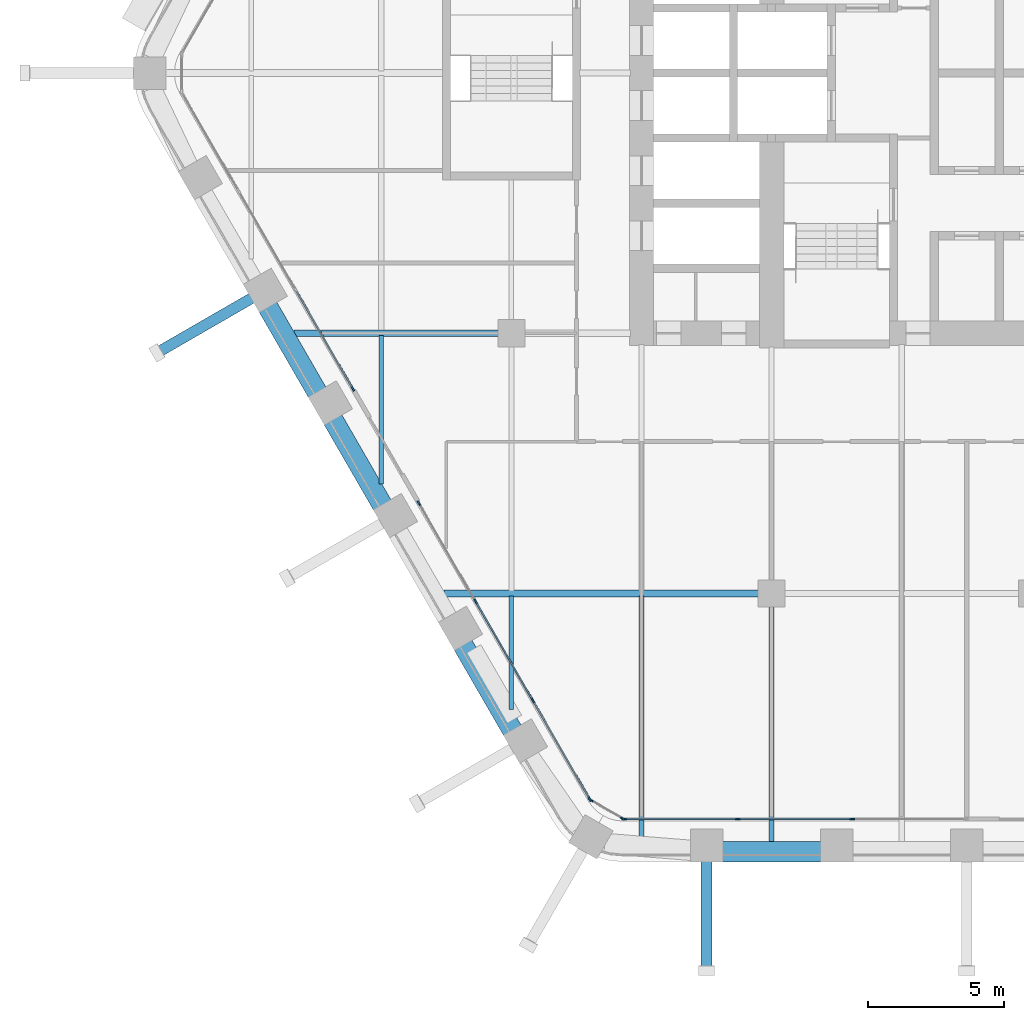
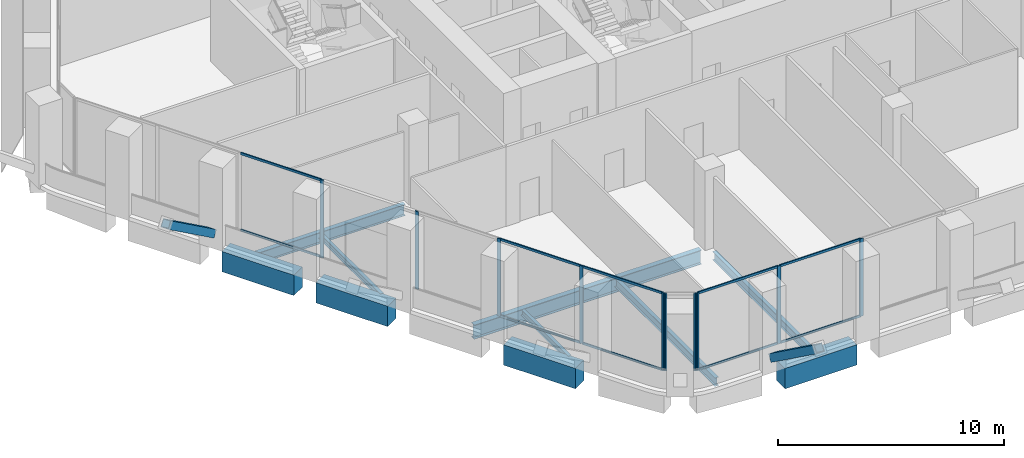
# One storey, part 2 of 26: 22 members, 10 beams, 4 elements without a shape of their own.
"""IFC4 building model written with IfcOpenShell, lengths in metres."""

from ifc_helpers import new_model, si_unit, direction, frame, origin, origin_2d, place, context, subcontext, project, spatial, rectangle, hollow_rectangle, i_section, extrude, material, material_profile, profile_set, type_object, element, aggregate, save


model = new_model("IFC4")

# Units and contexts
model_context = context("Model", 3, precision=1e-05, world=origin(), true_north=direction((0.0, 1.0)))
body_context = subcontext(model_context, "Body", "Model", "MODEL_VIEW")
ifc_project = project(units=[si_unit("LENGTHUNIT", "METRE"), si_unit("AREAUNIT", "SQUARE_METRE"), si_unit("VOLUMEUNIT", "CUBIC_METRE"), si_unit("PLANEANGLEUNIT", "RADIAN"), si_unit("MASSUNIT", "GRAM", prefix="KILO")], contexts=[model_context])

# Site, building, storey
site_placement = place(None, origin())
site = spatial("IfcSite", under=ifc_project, at=site_placement, CompositionType="ELEMENT")
building_placement = place(site_placement, origin())
building = spatial("IfcBuilding", under=site, at=building_placement, Name="Kolab Exchange Tower", CompositionType="ELEMENT")
storey_placement = place(building_placement, frame((0.0, 0.0, 104.89990234375)))
storey = spatial("IfcBuildingStorey", under=building, at=storey_placement, Name="L20", CompositionType="ELEMENT", Elevation=104.89990234375)

# Beams
ifc_material_1 = material(Name="Steel S355", Category="steel")
ifc_material_profile_1 = material_profile(ifc_material_1, i_section(OverallWidth=0.1650390625, OverallDepth=0.31005859375, WebThickness=0.005859375, FlangeThickness=0.009765625, at=origin_2d()), Name="W310X39")
ifc_profile_set_1 = profile_set([ifc_material_profile_1], Name="Steel S355")
beam_type_1 = type_object("IfcBeamType", Name="FLOOR BEAM W310X39", PredefinedType="BEAM", material=ifc_profile_set_1)
beam_1_placement = place(storey_placement, frame((-24.0, -15.167724609375, -0.35498046875), z_axis=(0.0, 1.0, 0.0), x_axis=(-1.0, 0.0, 0.0)))
element("IfcBeam", 1, at=beam_1_placement, inside=storey, type_object=beam_type_1, Name="beam/L20/fr/002", PredefinedType="BEAM", context=body_context, shape_type="SweptSolid", body=[
    extrude(i_section(OverallWidth=0.1650390625, OverallDepth=0.31005859375, WebThickness=0.005859375, FlangeThickness=0.009765625, at=origin_2d()), origin(), (0.0, 0.0, 1.0), 5.49365234375),
])
beam_2_placement = place(storey_placement, frame((-19.199951171875, -23.4814453125, -0.35498046875), z_axis=(0.0, 1.0, 0.0), x_axis=(-1.0, 0.0, 0.0)))
element("IfcBeam", 2, at=beam_2_placement, inside=storey, type_object=beam_type_1, Name="beam/L20/fr/006", PredefinedType="BEAM", context=body_context, shape_type="SweptSolid", body=[
    extrude(i_section(OverallWidth=0.1650390625, OverallDepth=0.31005859375, WebThickness=0.005859375, FlangeThickness=0.009765625, at=origin_2d()), origin(), (0.0, 0.0, 1.0), 4.18798828125),
])
ifc_material_profile_2 = material_profile(ifc_material_1, i_section(OverallWidth=0.18994140625, OverallDepth=0.45703125, WebThickness=0.009033203125, FlangeThickness=0.014404296875, at=origin_2d()), Name="W460X74")
ifc_profile_set_2 = profile_set([ifc_material_profile_2], Name="Steel S355")
beam_type_2 = type_object("IfcBeamType", Name="FLOOR BEAM W460X74", PredefinedType="BEAM", material=ifc_profile_set_2)
beam_3_placement = place(storey_placement, frame((-14.39990234375, -28.194580078125, -0.428466796875), z_axis=(0.0, 1.0, 0.0), x_axis=(-1.0, 0.0, 0.0)))
element("IfcBeam", 3, at=beam_3_placement, inside=storey, type_object=beam_type_2, Name="beam/L20/fr/012", PredefinedType="BEAM", context=body_context, shape_type="SweptSolid", body=[
    extrude(i_section(OverallWidth=0.18994140625, OverallDepth=0.45703125, WebThickness=0.009033203125, FlangeThickness=0.014404296875, at=origin_2d()), origin(), (0.0, 0.0, 1.0), 8.901123046875),
])
beam_4_placement = place(storey_placement, frame((-9.60009765625, -28.388427734375, -0.428466796875), z_axis=(0.0, 1.0, 0.0), x_axis=(-1.0, 0.0, 0.0)))
element("IfcBeam", 4, at=beam_4_placement, inside=storey, type_object=beam_type_2, Name="beam/L20/fr/016", PredefinedType="BEAM", context=body_context, shape_type="SweptSolid", body=[
    extrude(i_section(OverallWidth=0.18994140625, OverallDepth=0.45703125, WebThickness=0.009033203125, FlangeThickness=0.014404296875, at=origin_2d()), origin(), (0.0, 0.0, 1.0), 8.728515625),
])
ifc_material_profile_3 = material_profile(ifc_material_1, i_section(OverallWidth=0.22802734375, OverallDepth=0.60791015625, WebThickness=0.01123046875, FlangeThickness=0.017333984375, at=origin_2d()), Name="W610X113")
ifc_profile_set_3 = profile_set([ifc_material_profile_3], Name="Steel S355")
beam_type_3 = type_object("IfcBeamType", Name="FLOOR GIRDER W610X113", PredefinedType="BEAM", material=ifc_profile_set_3)
beam_5_placement = place(storey_placement, frame((-27.2314453125, -9.60009765625, -0.50390625), z_axis=(1.0, 0.0, 0.0), x_axis=(0.0, 1.0, 0.0)))
element("IfcBeam", 5, at=beam_5_placement, inside=storey, type_object=beam_type_3, Name="beam/L20/gd/001", PredefinedType="BEAM", context=body_context, shape_type="SweptSolid", body=[
    extrude(i_section(OverallWidth=0.22802734375, OverallDepth=0.60791015625, WebThickness=0.01123046875, FlangeThickness=0.017333984375, at=origin_2d()), origin(), (0.0, 0.0, 1.0), 7.571533203125),
])
ifc_material_profile_4 = material_profile(ifc_material_1, i_section(OverallWidth=0.26708984375, OverallDepth=0.761962890625, WebThickness=0.014404296875, FlangeThickness=0.021484375, at=origin_2d()), Name="W760X173")
ifc_profile_set_4 = profile_set([ifc_material_profile_4], Name="Steel S355")
beam_type_4 = type_object("IfcBeamType", Name="FLOOR GIRDER W760X173", PredefinedType="BEAM", material=ifc_profile_set_4)
beam_6_placement = place(storey_placement, frame((-21.688720703125, -19.199951171875, -0.580810546875), z_axis=(1.0, 0.0, 0.0), x_axis=(0.0, 1.0, 0.0)))
element("IfcBeam", 6, at=beam_6_placement, inside=storey, type_object=beam_type_4, Name="beam/L20/gd/003", PredefinedType="BEAM", context=body_context, shape_type="SweptSolid", body=[
    extrude(i_section(OverallWidth=0.26708984375, OverallDepth=0.761962890625, WebThickness=0.014404296875, FlangeThickness=0.021484375, at=origin_2d()), origin(), (0.0, 0.0, 1.0), 11.628662109375),
])

# Members
ifc_material_profile_5 = material_profile(ifc_material_1, hollow_rectangle(XDim=0.39990234375, YDim=0.39990234375, WallThickness=0.02001953125, at=origin_2d()), Name="HSS400X400X20")
ifc_profile_set_5 = profile_set([ifc_material_profile_5], Name="Steel S355")
member_type_1 = type_object("IfcMemberType", Name="LEDGE STRUT HSS400X400X20", PredefinedType="STRUT", material=ifc_profile_set_5)
member_1_placement = place(storey_placement, frame((-12.0, -29.05859375, 0.60009765625), z_axis=(0.0, -0.810646931153, 0.585535270511), x_axis=(1.0, 0.0, 0.0)))
element("IfcMember", 7, at=member_1_placement, inside=storey, type_object=member_type_1, Name="mem/L20/ledge/strut-3", PredefinedType="STRUT", context=body_context, shape_type="SweptSolid", body=[
    extrude(hollow_rectangle(XDim=0.39990234375, YDim=0.39990234375, WallThickness=0.02001953125, at=origin_2d()), origin(), (0.0, 0.0, 1.0), 4.9833984375),
])
member_2_placement = place(storey_placement, frame((-28.765380859375, -8.293701171875, 0.60009765625), z_axis=(-0.702055669831, -0.40533170136, 0.585511783255), x_axis=(0.499999695987, -0.866025579307, 0.0)))
element("IfcMember", 8, at=member_2_placement, inside=storey, type_object=member_type_1, Name="mem/L20/ledge/strut-7", PredefinedType="STRUT", context=body_context, shape_type="SweptSolid", body=[
    extrude(hollow_rectangle(XDim=0.39990234375, YDim=0.39990234375, WallThickness=0.02001953125, at=origin_2d()), origin(), (0.0, 0.0, 1.0), 4.983642578125),
])

# Beams
ifc_material_2 = material(Name="Concrete C70/85", Category="concrete")
ifc_material_profile_6 = material_profile(ifc_material_2, rectangle(XDim=0.75, YDim=1.10009765625, at=origin_2d()), Name="RC750X1100")
ifc_profile_set_6 = profile_set([ifc_material_profile_6], Name="Concrete C70/85")
beam_type_5 = type_object("IfcBeamType", Name="SPANDREL BEAM 750X1100 C70/85", PredefinedType="BEAM", material=ifc_profile_set_6)
beam_7_placement = place(storey_placement, frame((-7.760009765625, -28.723388671875, -0.75), z_axis=(-1.0, 0.0, 0.0), x_axis=(0.0, -1.0, 0.0)))
element("IfcBeam", 9, at=beam_7_placement, inside=storey, type_object=beam_type_5, Name="beam/L20/sp/F4-06", PredefinedType="BEAM", context=body_context, shape_type="SweptSolid", body=[
    extrude(rectangle(XDim=0.75, YDim=1.10009765625, at=origin_2d()), origin(), (0.0, 0.0, 1.0), 3.679931640625),
])
beam_8_placement = place(storey_placement, frame((-19.1552734375, -24.26904296875, -0.75), z_axis=(-0.500013413428, 0.866017659399, 0.0), x_axis=(-0.866017659399, -0.500013413428, 0.0)))
element("IfcBeam", 10, at=beam_8_placement, inside=storey, type_object=beam_type_5, Name="beam/L20/sp/F5-02", PredefinedType="BEAM", context=body_context, shape_type="SweptSolid", body=[
    extrude(rectangle(XDim=0.75, YDim=1.10009765625, at=origin_2d()), origin(), (0.0, 0.0, 1.0), 3.68017578125),
])
beam_9_placement = place(storey_placement, frame((-23.955322265625, -15.955322265625, -0.75), z_axis=(-0.499963655964, 0.866046386007, 0.0), x_axis=(-0.866046386007, -0.499963655964, 0.0)))
element("IfcBeam", 11, at=beam_9_placement, inside=storey, type_object=beam_type_5, Name="beam/L20/sp/F5-04", PredefinedType="BEAM", context=body_context, shape_type="SweptSolid", body=[
    extrude(rectangle(XDim=0.75, YDim=1.10009765625, at=origin_2d()), origin(), (0.0, 0.0, 1.0), 3.679931640625),
])
beam_10_placement = place(storey_placement, frame((-26.355224609375, -11.79833984375, -0.75), z_axis=(-0.500013413428, 0.866017659399, 0.0), x_axis=(-0.866017659399, -0.500013413428, 0.0)))
element("IfcBeam", 12, at=beam_10_placement, inside=storey, type_object=beam_type_5, Name="beam/L20/sp/F5-05", PredefinedType="BEAM", context=body_context, shape_type="SweptSolid", body=[
    extrude(rectangle(XDim=0.75, YDim=1.10009765625, at=origin_2d()), origin(), (0.0, 0.0, 1.0), 3.68017578125),
])

# Curtain wall, members
ifc_material_3 = material(Name="Aluminium EN AW-6063 T6", Category="aluminium")
curtain_wall_type = type_object("IfcCurtainWallType", Name="UNITISED LOWER MID ZONE CURTAIN WALL", PredefinedType="NOTDEFINED", material=ifc_material_3)
curtain_wall_1_placement = place(storey_placement, origin())
curtain_wall_1 = element("IfcCurtainWall", 13, at=curtain_wall_1_placement, inside=storey, type_object=curtain_wall_type, Name="cw/L20/F4-2", PredefinedType="NOTDEFINED")
ifc_material_profile_7 = material_profile(ifc_material_3, rectangle(XDim=0.06005859375, YDim=0.179931640625, at=origin_2d()), Name="RECT 60X180")
ifc_profile_set_7 = profile_set([ifc_material_profile_7], Name="Aluminium EN AW-6063 T6")
member_type_2 = type_object("IfcMemberType", Name="UNITISED LOWER MID ZONE MULLION 60 X 180", PredefinedType="MULLION", material=ifc_profile_set_7)
member_3_placement = place(storey_placement, frame((-6.62255859375, -27.5185546875, 0.0), z_axis=(0.0, 0.0, 1.0), x_axis=(0.0, -1.0, 0.0)))
member_3 = element("IfcMember", 14, at=member_3_placement, type_object=member_type_2, Name="CW2 mullion 2", PredefinedType="MULLION", context=body_context, shape_type="SweptSolid", body=[
    extrude(rectangle(XDim=0.06005859375, YDim=0.179931640625, at=origin_2d()), origin(), (0.0, 0.0, 1.0), 4.2001953125),
])
member_4_placement = place(storey_placement, frame((-10.84521484375, -27.5185546875, 0.0), z_axis=(0.0, 0.0, 1.0), x_axis=(0.0, -1.0, 0.0)))
member_4 = element("IfcMember", 15, at=member_4_placement, type_object=member_type_2, Name="CW2 mullion 3", PredefinedType="MULLION", context=body_context, shape_type="SweptSolid", body=[
    extrude(rectangle(XDim=0.06005859375, YDim=0.179931640625, at=origin_2d()), origin(), (0.0, 0.0, 1.0), 4.2001953125),
])
member_5_placement = place(storey_placement, frame((-15.037841796875, -27.5185546875, 0.0), z_axis=(0.0, 0.0, 1.0), x_axis=(0.0, -1.0, 0.0)))
member_5 = element("IfcMember", 16, at=member_5_placement, type_object=member_type_2, Name="CW2 mullion 4", PredefinedType="MULLION", context=body_context, shape_type="SweptSolid", body=[
    extrude(rectangle(XDim=0.06005859375, YDim=0.179931640625, at=origin_2d()), origin(), (0.0, 0.0, 1.0), 4.2001953125),
])

curtain_wall_2_placement = place(storey_placement, origin())
curtain_wall_2 = element("IfcCurtainWall", 17, at=curtain_wall_2_placement, inside=storey, type_object=curtain_wall_type, Name="cw/L20/F5-1", PredefinedType="NOTDEFINED")
member_6_placement = place(storey_placement, frame((-16.312744140625, -26.782470703125, 0.0), z_axis=(0.0, 0.0, 1.0), x_axis=(-0.866025393644, -0.500000017564, 0.0)))
member_6 = element("IfcMember", 18, at=member_6_placement, type_object=member_type_2, Name="CW2 mullion 1", PredefinedType="MULLION", context=body_context, shape_type="SweptSolid", body=[
    extrude(rectangle(XDim=0.06005859375, YDim=0.179931640625, at=origin_2d()), origin(), (0.0, 0.0, 1.0), 4.2001953125),
])
member_7_placement = place(storey_placement, frame((-18.408935546875, -23.151611328125, 0.0), z_axis=(0.0, 0.0, 1.0), x_axis=(-0.866025393644, -0.500000017564, 0.0)))
member_7 = element("IfcMember", 19, at=member_7_placement, type_object=member_type_2, Name="CW2 mullion 2", PredefinedType="MULLION", context=body_context, shape_type="SweptSolid", body=[
    extrude(rectangle(XDim=0.06005859375, YDim=0.179931640625, at=origin_2d()), origin(), (0.0, 0.0, 1.0), 4.2001953125),
])
member_8_placement = place(storey_placement, frame((-20.520263671875, -19.49462890625, 0.0), z_axis=(0.0, 0.0, 1.0), x_axis=(-0.866025393644, -0.500000017564, 0.0)))
member_8 = element("IfcMember", 20, at=member_8_placement, type_object=member_type_2, Name="CW2 mullion 3", PredefinedType="MULLION", context=body_context, shape_type="SweptSolid", body=[
    extrude(rectangle(XDim=0.06005859375, YDim=0.179931640625, at=origin_2d()), origin(), (0.0, 0.0, 1.0), 4.2001953125),
])
member_9_placement = place(storey_placement, frame((-22.61669921875, -15.86376953125, 0.0), z_axis=(0.0, 0.0, 1.0), x_axis=(-0.866025393644, -0.500000017564, 0.0)))
member_9 = element("IfcMember", 21, at=member_9_placement, type_object=member_type_2, Name="CW2 mullion 4", PredefinedType="MULLION", context=body_context, shape_type="SweptSolid", body=[
    extrude(rectangle(XDim=0.06005859375, YDim=0.179931640625, at=origin_2d()), origin(), (0.0, 0.0, 1.0), 4.2001953125),
])

# Curtain wall, member
curtain_wall_3_placement = place(storey_placement, origin())
curtain_wall_3 = element("IfcCurtainWall", 22, at=curtain_wall_3_placement, inside=storey, type_object=curtain_wall_type, Name="cw/L20/F5-2", PredefinedType="NOTDEFINED")
member_10_placement = place(storey_placement, frame((-25.046630859375, -11.65478515625, 0.0), z_axis=(0.0, 0.0, 1.0), x_axis=(-0.866025427826, -0.499999958358, 0.0)))
member_10 = element("IfcMember", 23, at=member_10_placement, type_object=member_type_2, Name="CW2 mullion 1", PredefinedType="MULLION", context=body_context, shape_type="SweptSolid", body=[
    extrude(rectangle(XDim=0.06005859375, YDim=0.179931640625, at=origin_2d()), origin(), (0.0, 0.0, 1.0), 4.2001953125),
])

# Curtain wall, members
curtain_wall_4_placement = place(storey_placement, origin())
curtain_wall_4 = element("IfcCurtainWall", 24, at=curtain_wall_4_placement, inside=storey, type_object=curtain_wall_type, Name="cw/L20/F4F5-corner", PredefinedType="NOTDEFINED")
member_11_placement = place(storey_placement, frame((-15.093994140625, -27.50341796875, 0.0), z_axis=(0.0, 0.0, 1.0), x_axis=(-0.50000002237, -0.866025390869, 0.0)))
member_11 = element("IfcMember", 25, at=member_11_placement, type_object=member_type_2, Name="CW2 mullion 1", PredefinedType="MULLION", context=body_context, shape_type="SweptSolid", body=[
    extrude(rectangle(XDim=0.06005859375, YDim=0.179931640625, at=origin_2d()), origin(), (0.0, 0.0, 1.0), 4.2001953125),
])
member_12_placement = place(storey_placement, frame((-16.271728515625, -26.823486328125, 0.0), z_axis=(0.0, 0.0, 1.0), x_axis=(-0.50000002237, -0.866025390869, 0.0)))
member_12 = element("IfcMember", 26, at=member_12_placement, type_object=member_type_2, Name="CW2 mullion 2", PredefinedType="MULLION", context=body_context, shape_type="SweptSolid", body=[
    extrude(rectangle(XDim=0.06005859375, YDim=0.179931640625, at=origin_2d()), origin(), (0.0, 0.0, 1.0), 4.2001953125),
])
aggregate(curtain_wall_4, [member_11, member_12])

# Member
ifc_material_profile_8 = material_profile(ifc_material_3, rectangle(XDim=0.06005859375, YDim=0.1201171875, at=origin_2d()), Name="RECT 60X120")
ifc_profile_set_8 = profile_set([ifc_material_profile_8], Name="Aluminium EN AW-6063 T6")
member_type_3 = type_object("IfcMemberType", Name="UNITISED LOWER MID ZONE TRANSOM 60 X 120", PredefinedType="USERDEFINED", material=ifc_profile_set_8)
member_13_placement = place(storey_placement, frame((-6.652587890625, -27.5185546875, 0.030029296875), z_axis=(-1.0, 0.0, 0.0), x_axis=(0.0, -1.0, 0.0)))
member_13 = element("IfcMember", 27, at=member_13_placement, type_object=member_type_3, Name="CW2 transom 2.1", ObjectType="TRANSOM", PredefinedType="USERDEFINED", context=body_context, shape_type="SweptSolid", body=[
    extrude(rectangle(XDim=0.06005859375, YDim=0.1201171875, at=origin_2d()), origin(), (0.0, 0.0, 1.0), 4.16259765625),
])

member_14_placement = place(storey_placement, frame((-6.652587890625, -27.5185546875, 4.170166015625), z_axis=(-1.0, 0.0, 0.0), x_axis=(0.0, -1.0, 0.0)))
member_14 = element("IfcMember", 28, at=member_14_placement, type_object=member_type_3, Name="CW2 transom 2.2", ObjectType="TRANSOM", PredefinedType="USERDEFINED", context=body_context, shape_type="SweptSolid", body=[
    extrude(rectangle(XDim=0.06005859375, YDim=0.1201171875, at=origin_2d()), origin(), (0.0, 0.0, 1.0), 4.16259765625),
])

member_15_placement = place(storey_placement, frame((-10.875244140625, -27.5185546875, 0.030029296875), z_axis=(-1.0, 0.0, 0.0), x_axis=(0.0, -1.0, 0.0)))
member_15 = element("IfcMember", 29, at=member_15_placement, type_object=member_type_3, Name="CW2 transom 3.1", ObjectType="TRANSOM", PredefinedType="USERDEFINED", context=body_context, shape_type="SweptSolid", body=[
    extrude(rectangle(XDim=0.06005859375, YDim=0.1201171875, at=origin_2d()), origin(), (0.0, 0.0, 1.0), 4.1328125),
])

member_16_placement = place(storey_placement, frame((-10.875244140625, -27.5185546875, 4.170166015625), z_axis=(-1.0, 0.0, 0.0), x_axis=(0.0, -1.0, 0.0)))
member_16 = element("IfcMember", 30, at=member_16_placement, type_object=member_type_3, Name="CW2 transom 3.2", ObjectType="TRANSOM", PredefinedType="USERDEFINED", context=body_context, shape_type="SweptSolid", body=[
    extrude(rectangle(XDim=0.06005859375, YDim=0.1201171875, at=origin_2d()), origin(), (0.0, 0.0, 1.0), 4.1328125),
])

aggregate(curtain_wall_1, [member_3, member_4, member_5, member_13, member_14, member_15, member_16])

member_17_placement = place(storey_placement, frame((-16.32763671875, -26.756591796875, 0.030029296875), z_axis=(-0.500001996123, 0.866024251319, 0.0), x_axis=(-0.866024251319, -0.500001996123, 0.0)))
member_17 = element("IfcMember", 31, at=member_17_placement, type_object=member_type_3, Name="CW2 transom 1.1", ObjectType="TRANSOM", PredefinedType="USERDEFINED", context=body_context, shape_type="SweptSolid", body=[
    extrude(rectangle(XDim=0.06005859375, YDim=0.1201171875, at=origin_2d()), origin(), (0.0, 0.0, 1.0), 4.1328125),
])

member_18_placement = place(storey_placement, frame((-16.32763671875, -26.756591796875, 4.170166015625), z_axis=(-0.500001996123, 0.866024251319, 0.0), x_axis=(-0.866024251319, -0.500001996123, 0.0)))
member_18 = element("IfcMember", 32, at=member_18_placement, type_object=member_type_3, Name="CW2 transom 1.2", ObjectType="TRANSOM", PredefinedType="USERDEFINED", context=body_context, shape_type="SweptSolid", body=[
    extrude(rectangle(XDim=0.06005859375, YDim=0.1201171875, at=origin_2d()), origin(), (0.0, 0.0, 1.0), 4.1328125),
])

member_19_placement = place(storey_placement, frame((-18.424072265625, -23.12548828125, 0.030029296875), z_axis=(-0.49999322259, 0.866029316688, 0.0), x_axis=(-0.866029316688, -0.49999322259, 0.0)))
member_19 = element("IfcMember", 33, at=member_19_placement, type_object=member_type_3, Name="CW2 transom 2.1", ObjectType="TRANSOM", PredefinedType="USERDEFINED", context=body_context, shape_type="SweptSolid", body=[
    extrude(rectangle(XDim=0.06005859375, YDim=0.1201171875, at=origin_2d()), origin(), (0.0, 0.0, 1.0), 4.16259765625),
])

member_20_placement = place(storey_placement, frame((-18.424072265625, -23.12548828125, 4.170166015625), z_axis=(-0.49999322259, 0.866029316688, 0.0), x_axis=(-0.866029316688, -0.49999322259, 0.0)))
member_20 = element("IfcMember", 34, at=member_20_placement, type_object=member_type_3, Name="CW2 transom 2.2", ObjectType="TRANSOM", PredefinedType="USERDEFINED", context=body_context, shape_type="SweptSolid", body=[
    extrude(rectangle(XDim=0.06005859375, YDim=0.1201171875, at=origin_2d()), origin(), (0.0, 0.0, 1.0), 4.16259765625),
])

aggregate(curtain_wall_2, [member_6, member_7, member_8, member_9, member_17, member_18, member_19, member_20])

member_21_placement = place(storey_placement, frame((-25.061767578125, -11.62890625, 0.030029296875), z_axis=(-0.499957688808, 0.866049830784, 0.0), x_axis=(-0.866049830784, -0.499957688808, 0.0)))
member_21 = element("IfcMember", 35, at=member_21_placement, type_object=member_type_3, Name="CW2 transom 1.1", ObjectType="TRANSOM", PredefinedType="USERDEFINED", context=body_context, shape_type="SweptSolid", body=[
    extrude(rectangle(XDim=0.06005859375, YDim=0.1201171875, at=origin_2d()), origin(), (0.0, 0.0, 1.0), 4.132568359375),
])

member_22_placement = place(storey_placement, frame((-25.061767578125, -11.62890625, 4.170166015625), z_axis=(-0.499957688808, 0.866049830784, 0.0), x_axis=(-0.866049830784, -0.499957688808, 0.0)))
member_22 = element("IfcMember", 36, at=member_22_placement, type_object=member_type_3, Name="CW2 transom 1.2", ObjectType="TRANSOM", PredefinedType="USERDEFINED", context=body_context, shape_type="SweptSolid", body=[
    extrude(rectangle(XDim=0.06005859375, YDim=0.1201171875, at=origin_2d()), origin(), (0.0, 0.0, 1.0), 4.132568359375),
])

aggregate(curtain_wall_3, [member_10, member_21, member_22])

save(model, "model.ifc")
